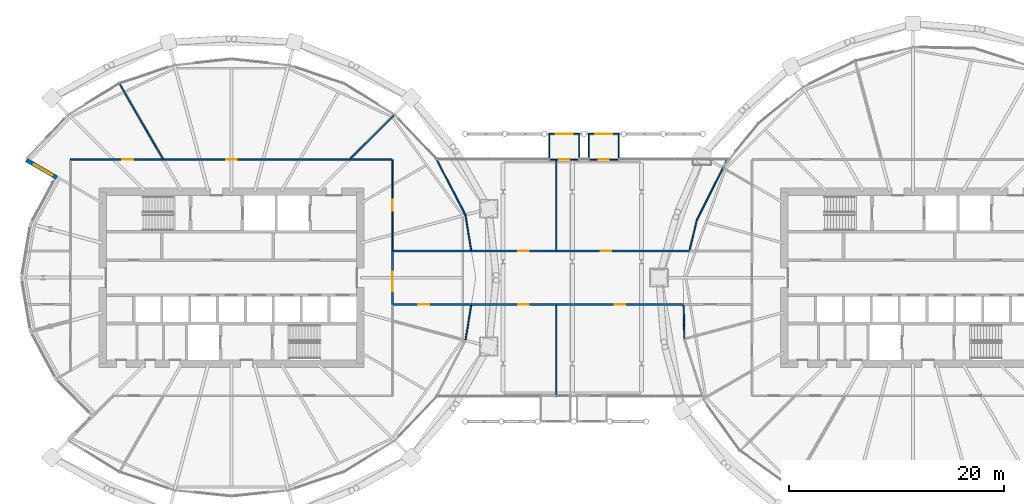
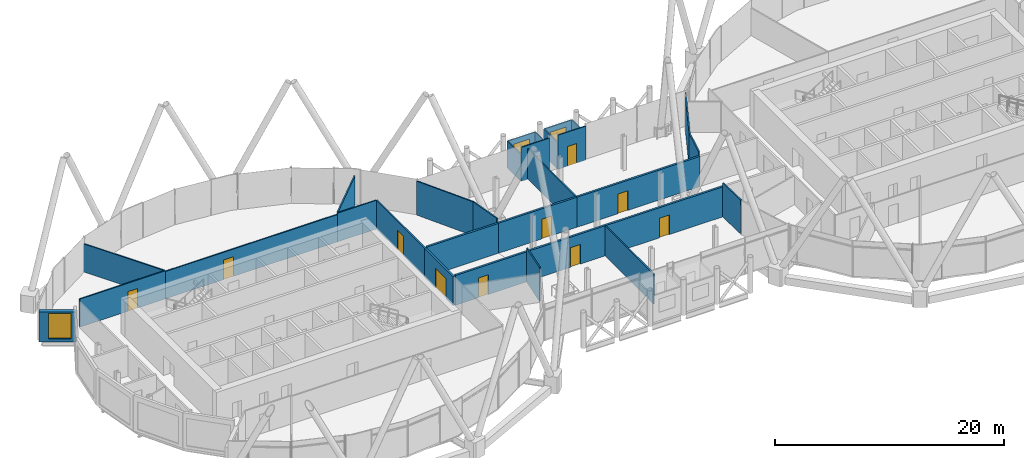
# One storey, part 26 of 35: 30 walls, 11 doors, 3 windows, 14 openings.
"""IFC4 building model written with IfcOpenShell, lengths in metres."""

import ifcopenshell
import ifcopenshell.guid

model = None  # the IFC model being written
_history = None  # IfcOwnerHistory: only IFC2X3 demands one
_inside = {}  # id of a spatial element -> (the spatial element, [elements in it])
_under = {}  # id of a project, library or spatial element -> (it, [spatial elements below it])
_declared = {}  # id of a project -> (the project, [libraries it declares])
_typed = {}  # id of a type object -> (the type object, [elements of that type])
_made_of = {}  # id of a material, layer set ... -> (it, [elements and type objects made of it])


def new_model(schema):
    """Start an empty IFC model of exactly this schema.

    Asked for "IFC4X3", IfcOpenShell would pick the latest addendum, in which some entities
    have other attributes; the version numbers below select the first issue.
    IFC2X3 requires an IfcOwnerHistory on every rooted entity: one is made here for all.
    """
    global model, _history
    if schema == "IFC4X3":
        model = ifcopenshell.file(schema_version=(4, 3, 0, 0))
    else:
        model = ifcopenshell.file(schema=schema)
    _inside.clear()
    _under.clear()
    _declared.clear()
    _typed.clear()
    _made_of.clear()
    _history = None
    if model.schema == "IFC2X3":
        org = make("IfcOrganization", Name="unknown")
        user = make(
            "IfcPersonAndOrganization",
            ThePerson=make("IfcPerson", FamilyName="unknown"),
            TheOrganization=org,
        )
        app = make(
            "IfcApplication",
            ApplicationDeveloper=org,
            Version="unknown",
            ApplicationFullName="unknown",
            ApplicationIdentifier="unknown",
        )
        _history = make(
            "IfcOwnerHistory",
            OwningUser=user,
            OwningApplication=app,
            ChangeAction="ADDED",
            CreationDate=0,
        )
    return model


def make(cls, **values):
    """One entity of the class cls with the attributes given. An attribute that is None is left unset."""
    return model.create_entity(
        cls, **{name: value for name, value in values.items() if value is not None}
    )


def rooted(cls, **values):
    """An entity with a GlobalId (a new one), such as an element, a storey or a relation."""
    return make(cls, GlobalId=ifcopenshell.guid.new(), OwnerHistory=_history, **values)


def si_unit(unit_type, name, prefix=None):
    """IfcSIUnit, for example si_unit("LENGTHUNIT", "METRE", prefix="MILLI")."""
    return make("IfcSIUnit", UnitType=unit_type, Prefix=prefix, Name=name)


def assignment(units):
    """IfcUnitAssignment: the units of a project."""
    return None if units is None else make("IfcUnitAssignment", Units=units)


def point(xyz):
    """IfcCartesianPoint."""
    return None if xyz is None else make("IfcCartesianPoint", Coordinates=xyz)


def direction(xyz):
    """IfcDirection."""
    return None if xyz is None else make("IfcDirection", DirectionRatios=xyz)


def frame(location, z_axis=None, x_axis=None):
    """IfcAxis2Placement3D, a coordinate frame: its origin and axes. An axis left out is left unset."""
    return make(
        "IfcAxis2Placement3D",
        Location=point(location),
        Axis=direction(z_axis),
        RefDirection=direction(x_axis),
    )


def frame_2d(location, x_axis=None):
    """IfcAxis2Placement2D, a coordinate frame in the plane: its origin and x axis."""
    return make(
        "IfcAxis2Placement2D", Location=point(location), RefDirection=direction(x_axis)
    )


def origin():
    """The frame at (0, 0, 0) with its axes left unset."""
    return frame((0.0, 0.0, 0.0))


def place(relative_to, where):
    """IfcLocalPlacement: puts the frame where relative to a parent placement (None: the world)."""
    return make(
        "IfcLocalPlacement", PlacementRelTo=relative_to, RelativePlacement=where
    )


def context(
    kind, dimensions, precision=None, world=None, true_north=None, identifier=None
):
    """IfcGeometricRepresentationContext, for example the 3D "Model" context."""
    return make(
        "IfcGeometricRepresentationContext",
        ContextIdentifier=identifier,
        ContextType=kind,
        CoordinateSpaceDimension=dimensions,
        Precision=precision,
        WorldCoordinateSystem=world,
        TrueNorth=true_north,
    )


def subcontext(parent, identifier, kind, view, scale=None):
    """IfcGeometricRepresentationSubContext, for example "Body" below "Model"."""
    return make(
        "IfcGeometricRepresentationSubContext",
        ContextIdentifier=identifier,
        ContextType=kind,
        ParentContext=parent,
        TargetScale=scale,
        TargetView=view,
    )


def project(units=None, contexts=None):
    """IfcProject with its units and contexts."""
    return rooted(
        "IfcProject",
        Name="project",
        RepresentationContexts=contexts,
        UnitsInContext=assignment(units),
    )


def spatial(cls, under=None, at=None, **own):
    """A site, building, storey or space (cls), placed at a placement, below another one or the project."""
    s = rooted(cls, ObjectPlacement=at, **own)
    if under is not None:
        _under.setdefault(under.id(), (under, []))[1].append(s)
    return s


def profile(cls, at=None, kind="AREA", **sizes):
    """A parametric profile (cls). Its sizes go by their IFC names, for example OverallWidth=200.0."""
    return make(cls, ProfileType=kind, Position=at, **sizes)


def rectangle(**sizes):
    """IfcRectangleProfileDef."""
    return profile("IfcRectangleProfileDef", **sizes)


def extrude(swept, where, along, depth):
    """IfcExtrudedAreaSolid: the profile swept, set in the frame where, extruded along a direction by depth."""
    return make(
        "IfcExtrudedAreaSolid",
        SweptArea=swept,
        Position=where,
        ExtrudedDirection=direction(along),
        Depth=depth,
    )


def shape(context_of_items, identifier, shape_type, items):
    """IfcShapeRepresentation: the items that make up one representation, for example the "Body"."""
    return make(
        "IfcShapeRepresentation",
        ContextOfItems=context_of_items,
        RepresentationIdentifier=identifier,
        RepresentationType=shape_type,
        Items=items,
    )


def material(Name=None, Category=None):
    """IfcMaterial."""
    return make("IfcMaterial", Name=Name, Category=Category)


def layer(
    of_material, thickness, ventilated=None, Name=None, Category=None, Priority=None
):
    """IfcMaterialLayer: one layer of a wall or slab, of a material (None: an air gap)."""
    return make(
        "IfcMaterialLayer",
        Material=of_material,
        LayerThickness=thickness,
        IsVentilated=ventilated,
        Name=Name,
        Category=Category,
        Priority=Priority,
    )


def layer_set(layers, Name=None):
    """IfcMaterialLayerSet."""
    return make("IfcMaterialLayerSet", MaterialLayers=layers, LayerSetName=Name)


def made_of(thing, what):
    """Note that an element or type object is made of a material, layer set ...; save() writes the relation."""
    if what is not None:
        _made_of.setdefault(what.id(), (what, []))[1].append(thing)
    return thing


def type_object(cls, material=None, **own):
    """A type object (cls), such as IfcWallType, which elements share."""
    return made_of(rooted(cls, **own), material)


def element(
    cls,
    number,
    at=None,
    inside=None,
    cuts=None,
    type_object=None,
    material=None,
    context=None,
    identifier="Body",
    shape_type=None,
    held_by="IfcProductDefinitionShape",
    body=None,
    shapes=None,
    **own,
):
    """One element of the class cls, such as IfcWall. Its Tag is "e" and its number.

    at: its placement. inside: the storey or other place that contains it. cuts: it is an
    opening in that element (IfcRelVoidsElement). A single representation is given by context,
    identifier, shape_type and body (its items); several are given by shapes. held_by: the class
    of the entity that holds the representations. save() writes the other relations.
    """
    e = rooted(cls, Tag="e%d" % number, ObjectPlacement=at, **own)
    if body is not None:
        shapes = [shape(context, identifier, shape_type, body)]
    if shapes is not None:
        e.Representation = make(held_by, Representations=shapes)
    if inside is not None:
        _inside.setdefault(inside.id(), (inside, []))[1].append(e)
    if cuts is not None:
        rooted(
            "IfcRelVoidsElement", RelatingBuildingElement=cuts, RelatedOpeningElement=e
        )
    if type_object is not None:
        _typed.setdefault(type_object.id(), (type_object, []))[1].append(e)
    return made_of(e, material)


def fill(opening, filler):
    """IfcRelFillsElement: the door or window that sits in an opening."""
    return rooted(
        "IfcRelFillsElement",
        RelatingOpeningElement=opening,
        RelatedBuildingElement=filler,
    )


def aggregate(whole, parts):
    """IfcRelAggregates: a whole, such as a stair, and the parts it consists of."""
    return rooted("IfcRelAggregates", RelatingObject=whole, RelatedObjects=parts)


def save(model, path):
    """Write the relations noted so far, then the file.

    IfcRelAggregates (storeys below a building ...), IfcRelContainedInSpatialStructure (elements
    in a storey), IfcRelDefinesByType, IfcRelAssociatesMaterial and IfcRelDeclares: one each for
    every whole, place, type object, material and project.
    """
    for whole, parts in _under.values():
        aggregate(whole, parts)
    for where, things in _inside.values():
        rooted(
            "IfcRelContainedInSpatialStructure",
            RelatedElements=things,
            RelatingStructure=where,
        )
    for kind, things in _typed.values():
        rooted("IfcRelDefinesByType", RelatedObjects=things, RelatingType=kind)
    for what, things in _made_of.values():
        rooted("IfcRelAssociatesMaterial", RelatedObjects=things, RelatingMaterial=what)
    for by, libraries in _declared.values():
        rooted("IfcRelDeclares", RelatingContext=by, RelatedDefinitions=libraries)
    model.write(path)


model = new_model("IFC4")

# Units and contexts
model_context = context("Model", 3, precision=1e-05, world=origin(), true_north=direction((0.0, 1.0)))
body_context = subcontext(model_context, "Body", "Model", "MODEL_VIEW")
ifc_project = project(units=[si_unit("LENGTHUNIT", "METRE"), si_unit("AREAUNIT", "SQUARE_METRE"), si_unit("VOLUMEUNIT", "CUBIC_METRE"), si_unit("PLANEANGLEUNIT", "RADIAN"), si_unit("MASSUNIT", "GRAM", prefix="KILO")], contexts=[model_context])

# Site, building, storey
site_placement = place(None, origin())
site = spatial("IfcSite", under=ifc_project, at=site_placement, CompositionType="ELEMENT")
building_placement = place(site_placement, origin())
building = spatial("IfcBuilding", under=site, at=building_placement, Name="Rimbun Link Towers", CompositionType="ELEMENT")
storey_placement = place(building_placement, frame((0.0, 0.0, 146.800048828125)))
storey = spatial("IfcBuildingStorey", under=building, at=storey_placement, Name="L35", CompositionType="ELEMENT", Elevation=146.800048828125)

# Wall
ifc_material_1 = material(Name="Terracotta-faced insulated sandwich panel", Category="masonry")
ifc_layer_1 = layer(ifc_material_1, 0.10009765625)
ifc_layer_set_1 = layer_set([ifc_layer_1], Name="CAPSULE shell panel 100")
wall_type_1 = type_object("IfcWallType", Name="CAPSULE shell panel 100", PredefinedType="STANDARD", material=ifc_layer_set_1)
wall_1_placement = place(storey_placement, frame((0.646728515625, 11.0, -0.06005859375), z_axis=(0.0, 0.0, 1.0), x_axis=(0.0, 1.0, 0.0)))
element("IfcWall", 1, at=wall_1_placement, inside=storey, type_object=wall_type_1, Name="CAPSULE F35.01 shell panel 1", PredefinedType="STANDARD", context=body_context, shape_type="SweptSolid", body=[
    extrude(rectangle(XDim=2.39990234375, YDim=0.10009765625, at=frame_2d((1.199951171875, 0.0))), origin(), (0.0, 0.0, 1.0), 2.85009765625),
])

# Wall, opening, window
wall_2_placement = place(storey_placement, frame((0.646728515625, 13.39990234375, -0.06005859375), z_axis=(0.0, 0.0, 1.0), x_axis=(-1.0, 0.0, 0.0)))
wall_2 = element("IfcWall", 2, at=wall_2_placement, inside=storey, type_object=wall_type_1, Name="CAPSULE F35.01 shell panel 2", PredefinedType="STANDARD", context=body_context, shape_type="SweptSolid", body=[
    extrude(rectangle(XDim=2.800048828125, YDim=0.10009765625, at=frame_2d((1.39990234375, 0.0))), origin(), (0.0, 0.0, 1.0), 2.85009765625),
])
opening_1_placement = place(wall_2_placement, frame((0.60009765625, 0.0, 0.89990234375)))
opening_1 = element("IfcOpeningElement", 3, at=opening_1_placement, cuts=wall_2, Name="Opening CN35.01", PredefinedType="OPENING", context=body_context, shape_type="SweptSolid", body=[
    extrude(rectangle(XDim=1.60009765625, YDim=1.39990234375, at=frame_2d((0.800048828125, 0.699951171875))), frame((0.0, 0.06005859375, 0.0), z_axis=(0.0, -1.0, 0.0), x_axis=(1.0, 0.0, 0.0)), (0.0, 0.0, 1.0), 0.1201171875),
])
ifc_material_2 = material(Name="Aluminium framed window, low-iron glass", Category="aluminium")
window_type_1 = type_object("IfcWindowType", Name="CAPSULE window 1600X1400", PartitioningType="SINGLE_PANEL", PredefinedType="WINDOW", material=ifc_material_2)
window_1_placement = place(opening_1_placement, origin())
window_1 = element("IfcWindow", 4, at=window_1_placement, inside=storey, type_object=window_type_1, Name="CAPSULE F35.01 window", OverallHeight=1.39990234375, OverallWidth=1.60009765625, PartitioningType="SINGLE_PANEL", PredefinedType="WINDOW", context=body_context, shape_type="SweptSolid", body=[
    extrude(rectangle(XDim=1.60009765625, YDim=1.39990234375, at=frame_2d((0.800048828125, 0.699951171875))), frame((0.0, 0.030029296875, 0.0), z_axis=(0.0, -1.0, 0.0), x_axis=(1.0, 0.0, 0.0)), (0.0, 0.0, 1.0), 0.06005859375),
])
fill(opening_1, window_1)

# Wall
wall_3_placement = place(storey_placement, frame((-2.1533203125, 13.39990234375, -0.06005859375), z_axis=(0.0, 0.0, 1.0), x_axis=(0.0, -1.0, 0.0)))
element("IfcWall", 5, at=wall_3_placement, inside=storey, type_object=wall_type_1, Name="CAPSULE F35.01 shell panel 3", PredefinedType="STANDARD", context=body_context, shape_type="SweptSolid", body=[
    extrude(rectangle(XDim=2.39990234375, YDim=0.10009765625, at=frame_2d((1.199951171875, 0.0))), origin(), (0.0, 0.0, 1.0), 2.85009765625),
])

# Wall, opening, door
wall_4_placement = place(storey_placement, frame((-2.1533203125, 11.0, -0.06005859375), z_axis=(0.0, 0.0, 1.0), x_axis=(1.0, 0.0, 0.0)))
wall_4 = element("IfcWall", 6, at=wall_4_placement, inside=storey, type_object=wall_type_1, Name="CAPSULE F35.01 shell panel 4", PredefinedType="STANDARD", context=body_context, shape_type="SweptSolid", body=[
    extrude(rectangle(XDim=2.800048828125, YDim=0.10009765625, at=frame_2d((1.39990234375, 0.0))), origin(), (0.0, 0.0, 1.0), 3.639892578125),
])
opening_2_placement = place(wall_4_placement, frame((0.949951171875, 0.0, 0.0)))
opening_2 = element("IfcOpeningElement", 7, at=opening_2_placement, cuts=wall_4, Name="Opening CD35.01", PredefinedType="OPENING", context=body_context, shape_type="SweptSolid", body=[
    extrude(rectangle(XDim=0.89990234375, YDim=2.10009765625, at=frame_2d((0.449951171875, 1.050048828125))), frame((0.0, 0.06005859375, 0.0), z_axis=(0.0, -1.0, 0.0), x_axis=(1.0, 0.0, 0.0)), (0.0, 0.0, 1.0), 0.1201171875),
])
ifc_material_3 = material(Name="Aluminium framed insulated door leaf", Category="aluminium")
door_type_1 = type_object("IfcDoorType", Name="CAPSULE door single leaf 900X2100", OperationType="SINGLE_SWING_LEFT", PredefinedType="DOOR", material=ifc_material_3)
door_1_placement = place(opening_2_placement, origin())
door_1 = element("IfcDoor", 8, at=door_1_placement, inside=storey, type_object=door_type_1, Name="CAPSULE F35.01 door", OperationType="SINGLE_SWING_RIGHT", OverallHeight=2.10009765625, OverallWidth=0.89990234375, PredefinedType="DOOR", context=body_context, shape_type="SweptSolid", body=[
    extrude(rectangle(XDim=0.89990234375, YDim=2.10009765625, at=frame_2d((0.449951171875, 1.050048828125))), frame((0.0, 0.02490234375, 0.0), z_axis=(0.0, -1.0, 0.0), x_axis=(1.0, 0.0, 0.0)), (0.0, 0.0, 1.0), 0.050048828125),
])
fill(opening_2, door_1)

# Wall
wall_5_placement = place(storey_placement, frame((4.336669921875, 11.0, -0.06005859375), z_axis=(0.0, 0.0, 1.0), x_axis=(0.0, 1.0, 0.0)))
element("IfcWall", 9, at=wall_5_placement, inside=storey, type_object=wall_type_1, Name="CAPSULE F35.02 shell panel 1", PredefinedType="STANDARD", context=body_context, shape_type="SweptSolid", body=[
    extrude(rectangle(XDim=2.39990234375, YDim=0.10009765625, at=frame_2d((1.199951171875, 0.0))), origin(), (0.0, 0.0, 1.0), 2.85009765625),
])

# Wall, opening, window
wall_6_placement = place(storey_placement, frame((4.336669921875, 13.39990234375, -0.06005859375), z_axis=(0.0, 0.0, 1.0), x_axis=(-1.0, 0.0, 0.0)))
wall_6 = element("IfcWall", 10, at=wall_6_placement, inside=storey, type_object=wall_type_1, Name="CAPSULE F35.02 shell panel 2", PredefinedType="STANDARD", context=body_context, shape_type="SweptSolid", body=[
    extrude(rectangle(XDim=2.7998046875, YDim=0.10009765625, at=frame_2d((1.39990234375, 0.0))), origin(), (0.0, 0.0, 1.0), 2.85009765625),
])
opening_3_placement = place(wall_6_placement, frame((0.60009765625, 0.0, 0.89990234375)))
opening_3 = element("IfcOpeningElement", 11, at=opening_3_placement, cuts=wall_6, Name="Opening CN35.02", PredefinedType="OPENING", context=body_context, shape_type="SweptSolid", body=[
    extrude(rectangle(XDim=1.60009765625, YDim=1.39990234375, at=frame_2d((0.800048828125, 0.699951171875))), frame((0.0, 0.06005859375, 0.0), z_axis=(0.0, -1.0, 0.0), x_axis=(1.0, 0.0, 0.0)), (0.0, 0.0, 1.0), 0.1201171875),
])
window_2_placement = place(opening_3_placement, origin())
window_2 = element("IfcWindow", 12, at=window_2_placement, inside=storey, type_object=window_type_1, Name="CAPSULE F35.02 window", OverallHeight=1.39990234375, OverallWidth=1.60009765625, PartitioningType="SINGLE_PANEL", PredefinedType="WINDOW", context=body_context, shape_type="SweptSolid", body=[
    extrude(rectangle(XDim=1.60009765625, YDim=1.39990234375, at=frame_2d((0.800048828125, 0.699951171875))), frame((0.0, 0.030029296875, 0.0), z_axis=(0.0, -1.0, 0.0), x_axis=(1.0, 0.0, 0.0)), (0.0, 0.0, 1.0), 0.06005859375),
])
fill(opening_3, window_2)

# Wall
wall_7_placement = place(storey_placement, frame((1.536865234375, 13.39990234375, -0.06005859375), z_axis=(0.0, 0.0, 1.0), x_axis=(0.0, -1.0, 0.0)))
element("IfcWall", 13, at=wall_7_placement, inside=storey, type_object=wall_type_1, Name="CAPSULE F35.02 shell panel 3", PredefinedType="STANDARD", context=body_context, shape_type="SweptSolid", body=[
    extrude(rectangle(XDim=2.39990234375, YDim=0.10009765625, at=frame_2d((1.199951171875, 0.0))), origin(), (0.0, 0.0, 1.0), 2.85009765625),
])

# Wall, opening, door
wall_8_placement = place(storey_placement, frame((1.536865234375, 11.0, -0.06005859375), z_axis=(0.0, 0.0, 1.0), x_axis=(1.0, 0.0, 0.0)))
wall_8 = element("IfcWall", 14, at=wall_8_placement, inside=storey, type_object=wall_type_1, Name="CAPSULE F35.02 shell panel 4", PredefinedType="STANDARD", context=body_context, shape_type="SweptSolid", body=[
    extrude(rectangle(XDim=2.7998046875, YDim=0.10009765625, at=frame_2d((1.39990234375, 0.0))), origin(), (0.0, 0.0, 1.0), 3.639892578125),
])
opening_4_placement = place(wall_8_placement, frame((0.949951171875, 0.0, 0.0)))
opening_4 = element("IfcOpeningElement", 15, at=opening_4_placement, cuts=wall_8, Name="Opening CD35.02", PredefinedType="OPENING", context=body_context, shape_type="SweptSolid", body=[
    extrude(rectangle(XDim=0.89990234375, YDim=2.10009765625, at=frame_2d((0.449951171875, 1.050048828125))), frame((0.0, 0.06005859375, 0.0), z_axis=(0.0, -1.0, 0.0), x_axis=(1.0, 0.0, 0.0)), (0.0, 0.0, 1.0), 0.1201171875),
])
door_2_placement = place(opening_4_placement, origin())
door_2 = element("IfcDoor", 16, at=door_2_placement, inside=storey, type_object=door_type_1, Name="CAPSULE F35.02 door", OperationType="SINGLE_SWING_LEFT", OverallHeight=2.10009765625, OverallWidth=0.89990234375, PredefinedType="DOOR", context=body_context, shape_type="SweptSolid", body=[
    extrude(rectangle(XDim=0.89990234375, YDim=2.10009765625, at=frame_2d((0.449951171875, 1.050048828125))), frame((0.0, 0.02490234375, 0.0), z_axis=(0.0, -1.0, 0.0), x_axis=(1.0, 0.0, 0.0)), (0.0, 0.0, 1.0), 0.050048828125),
])
fill(opening_4, door_2)

# Wall, opening, window
ifc_material_4 = material(Name="Dark enamelled glass spandrel on insulated aluminium backpan", Category="aluminium")
ifc_layer_2 = layer(ifc_material_4, 0.3701171875)
ifc_layer_set_2 = layer_set([ifc_layer_2], Name="CS dark enamelled spandrel wall 370")
wall_type_2 = type_object("IfcWallType", Name="CS dark enamelled spandrel wall 370", PredefinedType="STANDARD", material=ifc_layer_set_2)
wall_9_placement = place(storey_placement, frame((-48.031494140625, 9.324951171875, 0.0), z_axis=(0.0, 0.0, 1.0), x_axis=(-0.866008333849, 0.50002956483, 0.0)))
wall_9 = element("IfcWall", 17, at=wall_9_placement, inside=storey, type_object=wall_type_2, Name="Crease spandrel wall", PredefinedType="STANDARD", context=body_context, shape_type="SweptSolid", body=[
    extrude(rectangle(XDim=3.280029296875, YDim=0.3701171875, at=frame_2d((1.64013671875, 0.0))), origin(), (0.0, 0.0, 1.0), 3.20361328125),
])
opening_5_placement = place(wall_9_placement, frame((0.46240234375, 0.0, 0.300048828125)))
opening_5 = element("IfcOpeningElement", 18, at=opening_5_placement, cuts=wall_9, Name="Opening WR20H270", PredefinedType="OPENING", context=body_context, shape_type="SweptSolid", body=[
    extrude(rectangle(XDim=2.0, YDim=2.699951171875, at=frame_2d((1.0, 1.35009765625))), frame((0.0, 0.195068359375, 0.0), z_axis=(0.0, -1.0, 0.0), x_axis=(1.0, 0.0, 0.0)), (0.0, 0.0, 1.0), 0.39013671875),
])
ifc_material_5 = material(Name="Aluminium framed fixed window, dark tinted low-e glass", Category="aluminium")
window_type_2 = type_object("IfcWindowType", Name="WR ribbon window 2000X2700", PartitioningType="SINGLE_PANEL", PredefinedType="WINDOW", material=ifc_material_5)
window_3_placement = place(opening_5_placement, origin())
window_3 = element("IfcWindow", 19, at=window_3_placement, inside=storey, type_object=window_type_2, Name="Crease ribbon window", OverallHeight=2.699951171875, OverallWidth=2.0, PartitioningType="SINGLE_PANEL", PredefinedType="WINDOW", context=body_context, shape_type="SweptSolid", body=[
    extrude(rectangle(XDim=2.0, YDim=2.699951171875, at=frame_2d((1.0, 1.35009765625))), frame((0.0, 0.030029296875, 0.0), z_axis=(0.0, -1.0, 0.0), x_axis=(1.0, 0.0, 0.0)), (0.0, 0.0, 1.0), 0.06005859375),
])
fill(opening_5, window_3)

# Wall, opening, door
ifc_material_6 = material(Name="Concrete blockwork", Category="masonry")
ifc_layer_3 = layer(ifc_material_6, 0.199951171875)
ifc_layer_set_3 = layer_set([ifc_layer_3], Name="Fire partition 200 blockwork")
wall_type_3 = type_object("IfcWallType", Name="Fire partition 200 blockwork", PredefinedType="PARTITIONING", material=ifc_layer_set_3)
wall_10_placement = place(storey_placement, frame((-1.5, 2.5, 0.0), z_axis=(0.0, 0.0, 1.0), x_axis=(-1.0, 0.0, 0.0)))
wall_10 = element("IfcWall", 20, at=wall_10_placement, inside=storey, type_object=wall_type_3, Name="TW/PW/L35/001", PredefinedType="PARTITIONING", context=body_context, shape_type="SweptSolid", body=[
    extrude(rectangle(XDim=7.90771484375, YDim=0.199951171875, at=frame_2d((3.953857421875, 0.0))), origin(), (0.0, 0.0, 1.0), 3.2138671875),
])
opening_6_placement = place(wall_10_placement, frame((2.552978515625, 0.0, 0.0)))
opening_6 = element("IfcOpeningElement", 21, at=opening_6_placement, cuts=wall_10, Name="Opening TW D35.19", PredefinedType="OPENING", context=body_context, shape_type="SweptSolid", body=[
    extrude(rectangle(XDim=1.0, YDim=2.10009765625, at=frame_2d((0.5, 1.050048828125))), frame((0.0, 0.10986328125, 0.0), z_axis=(0.0, -1.0, 0.0), x_axis=(1.0, 0.0, 0.0)), (0.0, 0.0, 1.0), 0.219970703125),
])
ifc_material_7 = material(Name="Steel fire door set", Category="steel")
door_type_2 = type_object("IfcDoorType", Name="Fire door single leaf 1000 x 2100", OperationType="NOTDEFINED", PredefinedType="DOOR", material=ifc_material_7)
door_3_placement = place(opening_6_placement, origin())
door_3 = element("IfcDoor", 22, at=door_3_placement, inside=storey, type_object=door_type_2, Name="TW/DR/L35/019", OperationType="SINGLE_SWING_RIGHT", OverallHeight=2.10009765625, OverallWidth=1.0, PredefinedType="DOOR", context=body_context, shape_type="SweptSolid", body=[
    extrude(rectangle(XDim=1.0, YDim=2.10009765625, at=frame_2d((0.5, 1.050048828125))), frame((0.0, 0.02490234375, 0.0), z_axis=(0.0, -1.0, 0.0), x_axis=(1.0, 0.0, 0.0)), (0.0, 0.0, 1.0), 0.050048828125),
])
fill(opening_6, door_3)

wall_11_placement = place(storey_placement, frame((10.916748046875, 2.5, 0.0), z_axis=(0.0, 0.0, 1.0), x_axis=(-1.0, 0.0, 0.0)))
wall_11 = element("IfcWall", 23, at=wall_11_placement, inside=storey, type_object=wall_type_3, Name="TW/PW/L35/002", PredefinedType="PARTITIONING", context=body_context, shape_type="SweptSolid", body=[
    extrude(rectangle(XDim=12.416748046875, YDim=0.199951171875, at=frame_2d((6.20849609375, 0.0))), origin(), (0.0, 0.0, 1.0), 3.2138671875),
])
opening_7_placement = place(wall_11_placement, frame((7.285888671875, 0.0, 0.0)))
opening_7 = element("IfcOpeningElement", 24, at=opening_7_placement, cuts=wall_11, Name="Opening TW D35.20", PredefinedType="OPENING", context=body_context, shape_type="SweptSolid", body=[
    extrude(rectangle(XDim=1.0, YDim=2.10009765625, at=frame_2d((0.5, 1.050048828125))), frame((0.0, 0.10986328125, 0.0), z_axis=(0.0, -1.0, 0.0), x_axis=(1.0, 0.0, 0.0)), (0.0, 0.0, 1.0), 0.219970703125),
])
door_4_placement = place(opening_7_placement, origin())
door_4 = element("IfcDoor", 25, at=door_4_placement, inside=storey, type_object=door_type_2, Name="TW/DR/L35/020", OperationType="SINGLE_SWING_LEFT", OverallHeight=2.10009765625, OverallWidth=1.0, PredefinedType="DOOR", context=body_context, shape_type="SweptSolid", body=[
    extrude(rectangle(XDim=1.0, YDim=2.10009765625, at=frame_2d((0.5, 1.050048828125))), frame((0.0, 0.02490234375, 0.0), z_axis=(0.0, -1.0, 0.0), x_axis=(1.0, 0.0, 0.0)), (0.0, 0.0, 1.0), 0.050048828125),
])
fill(opening_7, door_4)

wall_12_placement = place(storey_placement, frame((-9.40771484375, -2.5, 0.0), z_axis=(0.0, 0.0, 1.0), x_axis=(1.0, 0.0, 0.0)))
wall_12 = element("IfcWall", 26, at=wall_12_placement, inside=storey, type_object=wall_type_3, Name="TW/PW/L35/003", PredefinedType="PARTITIONING", context=body_context, shape_type="SweptSolid", body=[
    extrude(rectangle(XDim=7.90771484375, YDim=0.199951171875, at=frame_2d((3.953857421875, 0.0))), origin(), (0.0, 0.0, 1.0), 3.2138671875),
])
opening_8_placement = place(wall_12_placement, frame((4.35498046875, 0.0, 0.0)))
opening_8 = element("IfcOpeningElement", 27, at=opening_8_placement, cuts=wall_12, Name="Opening TW D35.21", PredefinedType="OPENING", context=body_context, shape_type="SweptSolid", body=[
    extrude(rectangle(XDim=1.0, YDim=2.10009765625, at=frame_2d((0.5, 1.050048828125))), frame((0.0, 0.10986328125, 0.0), z_axis=(0.0, -1.0, 0.0), x_axis=(1.0, 0.0, 0.0)), (0.0, 0.0, 1.0), 0.219970703125),
])
door_5_placement = place(opening_8_placement, origin())
door_5 = element("IfcDoor", 28, at=door_5_placement, inside=storey, type_object=door_type_2, Name="TW/DR/L35/021", OperationType="SINGLE_SWING_RIGHT", OverallHeight=2.10009765625, OverallWidth=1.0, PredefinedType="DOOR", context=body_context, shape_type="SweptSolid", body=[
    extrude(rectangle(XDim=1.0, YDim=2.10009765625, at=frame_2d((0.5, 1.050048828125))), frame((0.0, 0.02490234375, 0.0), z_axis=(0.0, -1.0, 0.0), x_axis=(1.0, 0.0, 0.0)), (0.0, 0.0, 1.0), 0.050048828125),
])
fill(opening_8, door_5)

wall_13_placement = place(storey_placement, frame((-1.5, -2.5, 0.0), z_axis=(0.0, 0.0, 1.0), x_axis=(1.0, 0.0, 0.0)))
wall_13 = element("IfcWall", 29, at=wall_13_placement, inside=storey, type_object=wall_type_3, Name="TW/PW/L35/004", PredefinedType="PARTITIONING", context=body_context, shape_type="SweptSolid", body=[
    extrude(rectangle(XDim=11.87158203125, YDim=0.199951171875, at=frame_2d((5.935791015625, 0.0))), origin(), (0.0, 0.0, 1.0), 3.2138671875),
])
opening_9_placement = place(wall_13_placement, frame((5.43603515625, 0.0, 0.0)))
opening_9 = element("IfcOpeningElement", 30, at=opening_9_placement, cuts=wall_13, Name="Opening TW D35.22", PredefinedType="OPENING", context=body_context, shape_type="SweptSolid", body=[
    extrude(rectangle(XDim=1.0, YDim=2.10009765625, at=frame_2d((0.5, 1.050048828125))), frame((0.0, 0.10986328125, 0.0), z_axis=(0.0, -1.0, 0.0), x_axis=(1.0, 0.0, 0.0)), (0.0, 0.0, 1.0), 0.219970703125),
])
door_6_placement = place(opening_9_placement, origin())
door_6 = element("IfcDoor", 31, at=door_6_placement, inside=storey, type_object=door_type_2, Name="TW/DR/L35/022", OperationType="SINGLE_SWING_LEFT", OverallHeight=2.10009765625, OverallWidth=1.0, PredefinedType="DOOR", context=body_context, shape_type="SweptSolid", body=[
    extrude(rectangle(XDim=1.0, YDim=2.10009765625, at=frame_2d((0.5, 1.050048828125))), frame((0.0, 0.02490234375, 0.0), z_axis=(0.0, -1.0, 0.0), x_axis=(1.0, 0.0, 0.0)), (0.0, 0.0, 1.0), 0.050048828125),
])
fill(opening_9, door_6)

wall_14_placement = place(storey_placement, frame((-16.75, -2.5, 0.0), z_axis=(0.0, 0.0, 1.0), x_axis=(0.0, 1.0, 0.0)))
wall_14 = element("IfcWall", 32, at=wall_14_placement, inside=storey, type_object=wall_type_3, Name="TW/PW/L35/005", PredefinedType="PARTITIONING", context=body_context, shape_type="SweptSolid", body=[
    extrude(rectangle(XDim=5.0, YDim=0.199951171875, at=frame_2d((2.5, 0.0))), origin(), (0.0, 0.0, 1.0), 3.06689453125),
])
opening_10_placement = place(wall_14_placement, frame((1.2548828125, 0.0, 0.0)))
opening_10 = element("IfcOpeningElement", 33, at=opening_10_placement, cuts=wall_14, Name="Opening TW D35.23", PredefinedType="OPENING", context=body_context, shape_type="SweptSolid", body=[
    extrude(rectangle(XDim=1.800048828125, YDim=2.10009765625, at=frame_2d((0.89990234375, 1.050048828125))), frame((0.0, 0.10986328125, 0.0), z_axis=(0.0, -1.0, 0.0), x_axis=(1.0, 0.0, 0.0)), (0.0, 0.0, 1.0), 0.219970703125),
])
ifc_material_8 = material(Name="Steel fire door set", Category="steel")
door_type_3 = type_object("IfcDoorType", Name="Fire door double leaf 1800 x 2100", OperationType="NOTDEFINED", PredefinedType="DOOR", material=ifc_material_8)
door_7_placement = place(opening_10_placement, origin())
door_7 = element("IfcDoor", 34, at=door_7_placement, inside=storey, type_object=door_type_3, Name="TW/DR/L35/023", OperationType="DOUBLE_DOOR_SINGLE_SWING", OverallHeight=2.10009765625, OverallWidth=1.800048828125, PredefinedType="DOOR", context=body_context, shape_type="SweptSolid", body=[
    extrude(rectangle(XDim=1.800048828125, YDim=2.10009765625, at=frame_2d((0.89990234375, 1.050048828125))), frame((0.0, 0.02490234375, 0.0), z_axis=(0.0, -1.0, 0.0), x_axis=(1.0, 0.0, 0.0)), (0.0, 0.0, 1.0), 0.050048828125),
])
fill(opening_10, door_7)

# Wall
wall_15_placement = place(storey_placement, frame((-9.40771484375, 2.5, 0.0), z_axis=(0.0, 0.0, 1.0), x_axis=(-1.0, 0.0, 0.0)))
element("IfcWall", 35, at=wall_15_placement, inside=storey, type_object=wall_type_3, Name="TW/PW/L35/020", PredefinedType="PARTITIONING", context=body_context, shape_type="SweptSolid", body=[
    extrude(rectangle(XDim=7.2421875, YDim=0.199951171875, at=frame_2d((3.62109375, 0.0))), origin(), (0.0, 0.0, 1.0), 3.19384765625),
])

# Wall, opening, door
wall_16_placement = place(storey_placement, frame((-16.64990234375, -2.5, 0.0), z_axis=(0.0, 0.0, 1.0), x_axis=(1.0, 0.0, 0.0)))
wall_16 = element("IfcWall", 36, at=wall_16_placement, inside=storey, type_object=wall_type_3, Name="TW/PW/L35/021", PredefinedType="PARTITIONING", context=body_context, shape_type="SweptSolid", body=[
    extrude(rectangle(XDim=7.2421875, YDim=0.199951171875, at=frame_2d((3.62109375, 0.0))), origin(), (0.0, 0.0, 1.0), 3.19384765625),
])
opening_11_placement = place(wall_16_placement, frame((2.320068359375, 0.0, 0.0)))
opening_11 = element("IfcOpeningElement", 37, at=opening_11_placement, cuts=wall_16, Name="Opening TW D35.05", PredefinedType="OPENING", context=body_context, shape_type="SweptSolid", body=[
    extrude(rectangle(XDim=1.0, YDim=2.10009765625, at=frame_2d((0.5, 1.050048828125))), frame((0.0, 0.10986328125, 0.0), z_axis=(0.0, -1.0, 0.0), x_axis=(1.0, 0.0, 0.0)), (0.0, 0.0, 1.0), 0.219970703125),
])
door_8_placement = place(opening_11_placement, origin())
door_8 = element("IfcDoor", 38, at=door_8_placement, inside=storey, type_object=door_type_2, Name="TW/DR/L35/005", OperationType="SINGLE_SWING_RIGHT", OverallHeight=2.10009765625, OverallWidth=1.0, PredefinedType="DOOR", context=body_context, shape_type="SweptSolid", body=[
    extrude(rectangle(XDim=1.0, YDim=2.10009765625, at=frame_2d((0.5, 1.050048828125))), frame((0.0, 0.02490234375, 0.0), z_axis=(0.0, -1.0, 0.0), x_axis=(1.0, 0.0, 0.0)), (0.0, 0.0, 1.0), 0.050048828125),
])
fill(opening_11, door_8)

ifc_material_9 = material(Name="Gypsum board on steel studs", Category="steel")
ifc_layer_4 = layer(ifc_material_9, 0.125)
ifc_layer_set_4 = layer_set([ifc_layer_4], Name="Partition 125 board on studs")
wall_type_4 = type_object("IfcWallType", Name="Partition 125 board on studs", PredefinedType="PARTITIONING", material=ifc_layer_set_4)
wall_17_placement = place(storey_placement, frame((-16.75, 2.5, 0.0), z_axis=(0.0, 0.0, 1.0), x_axis=(0.0, 1.0, 0.0)))
wall_17 = element("IfcWall", 39, at=wall_17_placement, inside=storey, type_object=wall_type_4, Name="TW/PW/L35/013", PredefinedType="PARTITIONING", context=body_context, shape_type="SweptSolid", body=[
    extrude(rectangle(XDim=8.5, YDim=0.125, at=frame_2d((4.25, 0.0))), origin(), (0.0, 0.0, 1.0), 3.06689453125),
])
opening_12_placement = place(wall_17_placement, frame((3.75, 0.0, 0.0)))
opening_12 = element("IfcOpeningElement", 40, at=opening_12_placement, cuts=wall_17, Name="Opening TW D35.04", PredefinedType="OPENING", context=body_context, shape_type="SweptSolid", body=[
    extrude(rectangle(XDim=1.0, YDim=2.10009765625, at=frame_2d((0.5, 1.050048828125))), frame((0.0, 0.072509765625, 0.0), z_axis=(0.0, -1.0, 0.0), x_axis=(1.0, 0.0, 0.0)), (0.0, 0.0, 1.0), 0.14501953125),
])
ifc_material_10 = material(Name="Timber door set", Category="wood")
door_type_4 = type_object("IfcDoorType", Name="Door single leaf 1000 x 2100", OperationType="NOTDEFINED", PredefinedType="DOOR", material=ifc_material_10)
door_9_placement = place(opening_12_placement, origin())
door_9 = element("IfcDoor", 41, at=door_9_placement, inside=storey, type_object=door_type_4, Name="TW/DR/L35/004", OperationType="SINGLE_SWING_LEFT", OverallHeight=2.10009765625, OverallWidth=1.0, PredefinedType="DOOR", context=body_context, shape_type="SweptSolid", body=[
    extrude(rectangle(XDim=1.0, YDim=2.10009765625, at=frame_2d((0.5, 1.050048828125))), frame((0.0, 0.02490234375, 0.0), z_axis=(0.0, -1.0, 0.0), x_axis=(1.0, 0.0, 0.0)), (0.0, 0.0, 1.0), 0.050048828125),
])
fill(opening_12, door_9)

# Wall
wall_18_placement = place(storey_placement, frame((-16.8125, 11.0, 0.0), z_axis=(0.0, 0.0, 1.0), x_axis=(-1.0, 0.0, 0.0)))
element("IfcWall", 42, at=wall_18_placement, inside=storey, type_object=wall_type_4, Name="TW/PW/L35/014", PredefinedType="PARTITIONING", context=body_context, shape_type="SweptSolid", body=[
    extrude(rectangle(XDim=3.9375, YDim=0.125, at=frame_2d((1.96875, 0.0))), origin(), (0.0, 0.0, 1.0), 3.06689453125),
])

# Wall, opening, door
wall_19_placement = place(storey_placement, frame((-20.75, 11.0, 0.0), z_axis=(0.0, 0.0, 1.0), x_axis=(-1.0, 0.0, 0.0)))
wall_19 = element("IfcWall", 43, at=wall_19_placement, inside=storey, type_object=wall_type_4, Name="TW/PW/L35/016", PredefinedType="PARTITIONING", context=body_context, shape_type="SweptSolid", body=[
    extrude(rectangle(XDim=17.350830078125, YDim=0.125, at=frame_2d((8.67529296875, 0.0))), origin(), (0.0, 0.0, 1.0), 2.916015625),
])
opening_13_placement = place(wall_19_placement, frame((10.492919921875, 0.0, 0.0)))
opening_13 = element("IfcOpeningElement", 44, at=opening_13_placement, cuts=wall_19, Name="Opening TW D35.06", PredefinedType="OPENING", context=body_context, shape_type="SweptSolid", body=[
    extrude(rectangle(XDim=1.0, YDim=2.10009765625, at=frame_2d((0.5, 1.050048828125))), frame((0.0, 0.072509765625, 0.0), z_axis=(0.0, -1.0, 0.0), x_axis=(1.0, 0.0, 0.0)), (0.0, 0.0, 1.0), 0.14501953125),
])
door_10_placement = place(opening_13_placement, origin())
door_10 = element("IfcDoor", 45, at=door_10_placement, inside=storey, type_object=door_type_4, Name="TW/DR/L35/006", OperationType="SINGLE_SWING_LEFT", OverallHeight=2.10009765625, OverallWidth=1.0, PredefinedType="DOOR", context=body_context, shape_type="SweptSolid", body=[
    extrude(rectangle(XDim=1.0, YDim=2.10009765625, at=frame_2d((0.5, 1.050048828125))), frame((0.0, 0.02490234375, 0.0), z_axis=(0.0, -1.0, 0.0), x_axis=(1.0, 0.0, 0.0)), (0.0, 0.0, 1.0), 0.050048828125),
])
fill(opening_13, door_10)

wall_20_placement = place(storey_placement, frame((-38.100830078125, 11.0, 0.0), z_axis=(0.0, 0.0, 1.0), x_axis=(-1.0, 0.0, 0.0)))
wall_20 = element("IfcWall", 46, at=wall_20_placement, inside=storey, type_object=wall_type_4, Name="TW/PW/L35/018", PredefinedType="PARTITIONING", context=body_context, shape_type="SweptSolid", body=[
    extrude(rectangle(XDim=8.649169921875, YDim=0.125, at=frame_2d((4.32470703125, 0.0))), origin(), (0.0, 0.0, 1.0), 2.9970703125),
])
opening_14_placement = place(wall_20_placement, frame((2.81201171875, 0.0, 0.0)))
opening_14 = element("IfcOpeningElement", 47, at=opening_14_placement, cuts=wall_20, Name="Opening TW D35.08", PredefinedType="OPENING", context=body_context, shape_type="SweptSolid", body=[
    extrude(rectangle(XDim=1.0, YDim=2.10009765625, at=frame_2d((0.5, 1.050048828125))), frame((0.0, 0.072509765625, 0.0), z_axis=(0.0, -1.0, 0.0), x_axis=(1.0, 0.0, 0.0)), (0.0, 0.0, 1.0), 0.14501953125),
])
door_11_placement = place(opening_14_placement, origin())
door_11 = element("IfcDoor", 48, at=door_11_placement, inside=storey, type_object=door_type_4, Name="TW/DR/L35/008", OperationType="SINGLE_SWING_LEFT", OverallHeight=2.10009765625, OverallWidth=1.0, PredefinedType="DOOR", context=body_context, shape_type="SweptSolid", body=[
    extrude(rectangle(XDim=1.0, YDim=2.10009765625, at=frame_2d((0.5, 1.050048828125))), frame((0.0, 0.02490234375, 0.0), z_axis=(0.0, -1.0, 0.0), x_axis=(1.0, 0.0, 0.0)), (0.0, 0.0, 1.0), 0.050048828125),
])
fill(opening_14, door_11)

# Walls
wall_21_placement = place(storey_placement, frame((-16.595703125, 15.154296875, 0.0), z_axis=(0.0, 0.0, 1.0), x_axis=(-0.707106781187, -0.707106781187, 0.0)))
element("IfcWall", 49, at=wall_21_placement, inside=storey, type_object=wall_type_4, Name="TW/PW/L35/028", PredefinedType="PARTITIONING", context=body_context, shape_type="SweptSolid", body=[
    extrude(rectangle(XDim=5.72412109375, YDim=0.125, at=frame_2d((2.862060546875, 0.0))), origin(), (0.0, 0.0, 1.0), 3.06689453125),
])
wall_22_placement = place(storey_placement, frame((-9.42578125, 2.610107421875, 0.0), z_axis=(0.0, 0.0, 1.0), x_axis=(-0.162268668025, 0.986746613563, 0.0)))
element("IfcWall", 50, at=wall_22_placement, inside=storey, type_object=wall_type_4, Name="TW/PW/L35/029", PredefinedType="PARTITIONING", context=body_context, shape_type="SweptSolid", body=[
    extrude(rectangle(XDim=3.2529296875, YDim=0.125, at=frame_2d((1.62646484375, 0.0))), origin(), (0.0, 0.0, 1.0), 3.619873046875),
])
wall_23_placement = place(storey_placement, frame((-9.919921875, 5.768310546875, 0.0), z_axis=(0.0, 0.0, 1.0), x_axis=(-0.459568637938, 0.888142256074, 0.0)))
element("IfcWall", 51, at=wall_23_placement, inside=storey, type_object=wall_type_4, Name="TW/PW/L35/030", PredefinedType="PARTITIONING", context=body_context, shape_type="SweptSolid", body=[
    extrude(rectangle(XDim=5.970703125, YDim=0.125, at=frame_2d((2.9853515625, 0.0))), origin(), (0.0, 0.0, 1.0), 3.619873046875),
])
wall_24_placement = place(storey_placement, frame((-9.945556640625, -5.771484375, 0.0), z_axis=(0.0, 0.0, 1.0), x_axis=(0.162236076133, 0.986751972687, 0.0)))
element("IfcWall", 52, at=wall_24_placement, inside=storey, type_object=wall_type_4, Name="TW/PW/L35/031", PredefinedType="PARTITIONING", context=body_context, shape_type="SweptSolid", body=[
    extrude(rectangle(XDim=3.203857421875, YDim=0.125, at=frame_2d((1.60205078125, 0.0))), origin(), (0.0, 0.0, 1.0), 3.619873046875),
])
wall_25_placement = place(storey_placement, frame((-42.215576171875, 18.126708984375, 0.0), z_axis=(0.0, 0.0, 1.0), x_axis=(0.500006105659, -0.866021878652, 0.0)))
element("IfcWall", 53, at=wall_25_placement, inside=storey, type_object=wall_type_4, Name="TW/PW/L35/032", PredefinedType="PARTITIONING", context=body_context, shape_type="SweptSolid", body=[
    extrude(rectangle(XDim=8.12109375, YDim=0.125, at=frame_2d((4.060546875, 0.0))), origin(), (0.0, 0.0, 1.0), 2.9970703125),
])
wall_26_placement = place(storey_placement, frame((10.37353515625, -2.601318359375, 0.0), z_axis=(0.0, 0.0, 1.0), x_axis=(0.021110703723, -0.999777144262, 0.0)))
element("IfcWall", 54, at=wall_26_placement, inside=storey, type_object=wall_type_4, Name="TW/PW/L35/061", PredefinedType="PARTITIONING", context=body_context, shape_type="SweptSolid", body=[
    extrude(rectangle(XDim=3.030029296875, YDim=0.125, at=frame_2d((1.51513671875, 0.0))), origin(), (0.0, 0.0, 1.0), 3.619873046875),
])
wall_27_placement = place(storey_placement, frame((14.459228515625, 11.071533203125, 0.0), z_axis=(0.0, 0.0, 1.0), x_axis=(-0.448781509289, -0.89364151477, 0.0)))
element("IfcWall", 55, at=wall_27_placement, inside=storey, type_object=wall_type_4, Name="TW/PW/L35/062", PredefinedType="PARTITIONING", context=body_context, shape_type="SweptSolid", body=[
    extrude(rectangle(XDim=6.35009765625, YDim=0.125, at=frame_2d((3.175048828125, 0.0))), origin(), (0.0, 0.0, 1.0), 3.619873046875),
])
wall_28_placement = place(storey_placement, frame((11.609375, 5.396728515625, 0.0), z_axis=(0.0, 0.0, 1.0), x_axis=(-0.232562683493, -0.972581409573, 0.0)))
element("IfcWall", 56, at=wall_28_placement, inside=storey, type_object=wall_type_4, Name="TW/PW/L35/063", PredefinedType="PARTITIONING", context=body_context, shape_type="SweptSolid", body=[
    extrude(rectangle(XDim=2.860595703125, YDim=0.125, at=frame_2d((1.43017578125, 0.0))), origin(), (0.0, 0.0, 1.0), 3.619873046875),
])
for number, where, z_axis, x_axis, name in (
    (57, (-1.5, 2.60009765625, 0.0), (0.0, 0.0, 1.0), (0.0, 1.0, 0.0), "TW/PW/L35/064"),
    (58, (-1.5, -11.080078125, 0.0), (0.0, 0.0, 1.0), (0.0, 1.0, 0.0), "TW/PW/L35/065"),
):
    element("IfcWall", number, at=place(storey_placement, frame(where, z_axis=z_axis, x_axis=x_axis)), inside=storey, type_object=wall_type_4, Name=name, PredefinedType="PARTITIONING", context=body_context, shape_type="SweptSolid", body=[
        extrude(rectangle(XDim=8.47998046875, YDim=0.125, at=frame_2d((4.239990234375, 0.0))), origin(), (0.0, 0.0, 1.0), 3.2138671875),
    ])

save(model, "model.ifc")
